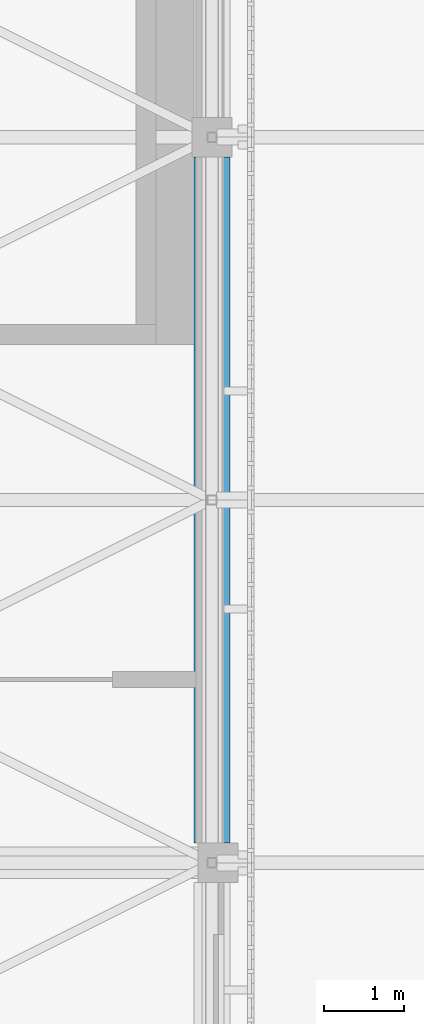
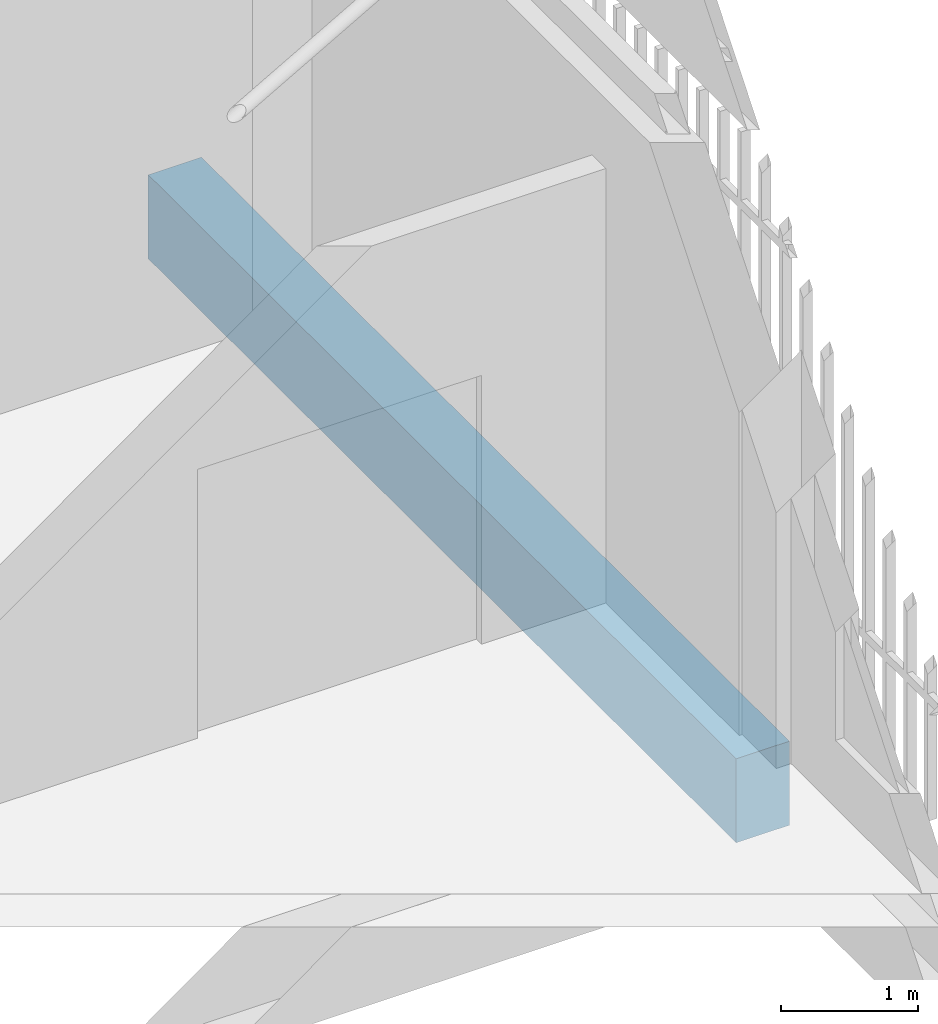
# One storey, part 386 of 500: 1 beam.
"""IFC4 building model written with IfcOpenShell, lengths in metres."""

from ifc_helpers import new_model, si_unit, direction, frame, origin, origin_2d, place, context, subcontext, project, spatial, rectangle, extrude, material, material_profile, profile_set, type_object, element, save


model = new_model("IFC4")

# Units and contexts
model_context = context("Model", 3, precision=1e-05, world=origin(), true_north=direction((0.0, 1.0)))
body_context = subcontext(model_context, "Body", "Model", "MODEL_VIEW")
ifc_project = project(units=[si_unit("LENGTHUNIT", "METRE"), si_unit("AREAUNIT", "SQUARE_METRE"), si_unit("VOLUMEUNIT", "CUBIC_METRE"), si_unit("PLANEANGLEUNIT", "RADIAN"), si_unit("MASSUNIT", "GRAM", prefix="KILO")], contexts=[model_context])

# Site, building, storey
site_placement = place(None, origin())
site = spatial("IfcSite", under=ifc_project, at=site_placement, CompositionType="ELEMENT")
building_placement = place(site_placement, origin())
building = spatial("IfcBuilding", under=site, at=building_placement, Name="Shirokan Park Arena", CompositionType="ELEMENT")
storey_placement = place(building_placement, frame((0.0, 0.0, 29.1201171875)))
storey = spatial("IfcBuildingStorey", under=building, at=storey_placement, Name="L06", CompositionType="ELEMENT", Elevation=29.1201171875)

# Beam
ifc_material = material(Name="Concrete C35", Category="concrete")
ifc_material_profile = material_profile(ifc_material, rectangle(XDim=0.449951171875, YDim=0.75, at=origin_2d()), Name="450x750")
ifc_profile_set = profile_set([ifc_material_profile], Name="Concrete C35")
beam_type = type_object("IfcBeamType", Name="RC girder 450x750", PredefinedType="BEAM", material=ifc_profile_set)
beam_placement = place(storey_placement, frame((145.60009765625, 73.050048828125, -0.5751953125), z_axis=(0.0, 1.0, 0.0), x_axis=(-1.0, 0.0, 0.0)))
element("IfcBeam", 1, at=beam_placement, inside=storey, type_object=beam_type, Name="Girder 17J-17K L06", PredefinedType="BEAM", context=body_context, shape_type="SweptSolid", body=[
    extrude(rectangle(XDim=0.449951171875, YDim=0.75, at=origin_2d()), origin(), (0.0, 0.0, 1.0), 8.599853515625),
])

save(model, "model.ifc")
